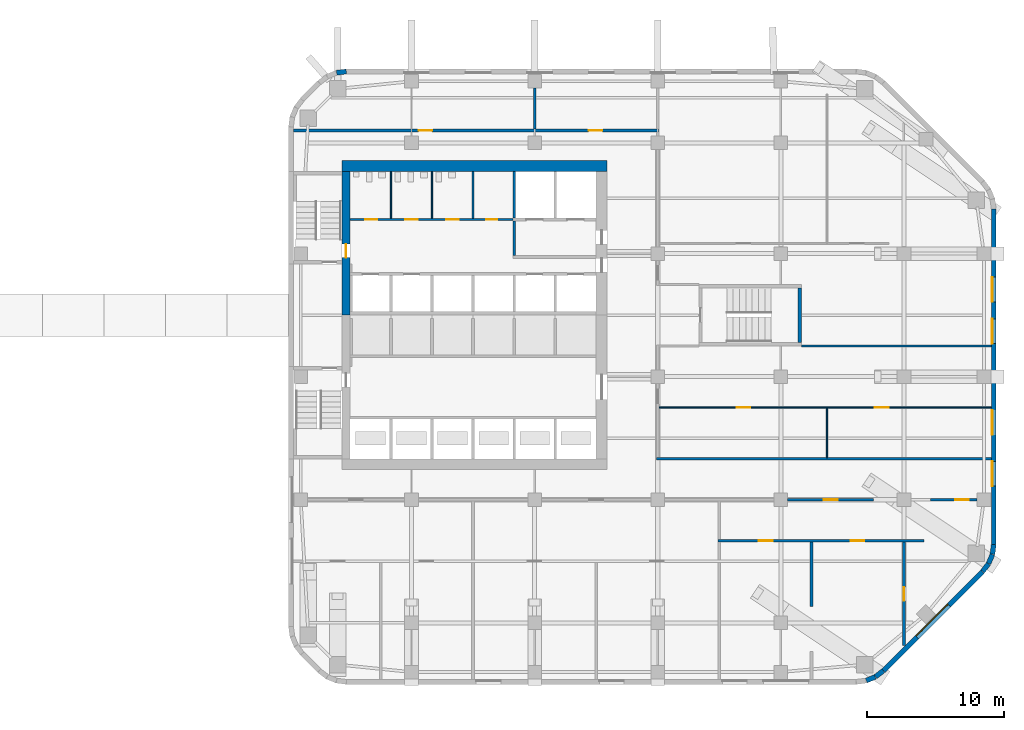
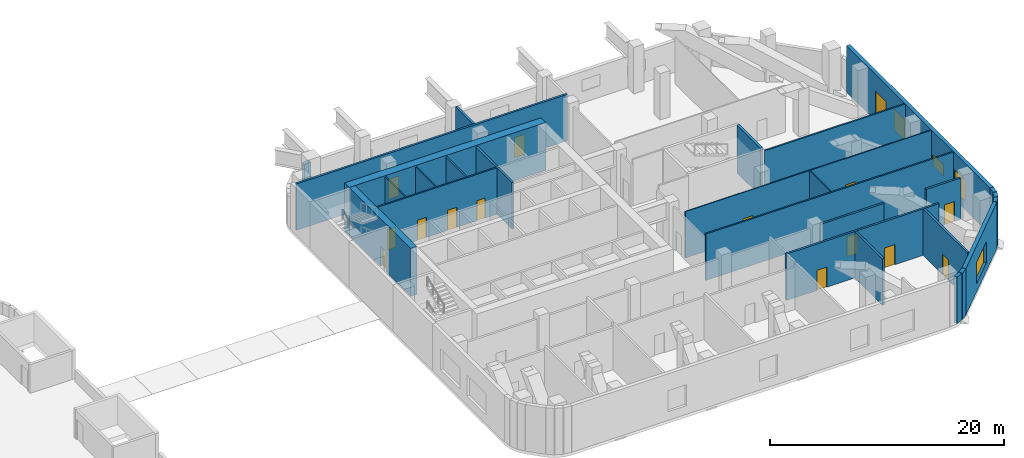
# One storey, part 6 of 11: 28 walls, 14 doors, 5 windows, 19 openings.
"""IFC4 building model written with IfcOpenShell, lengths in metres."""

from ifc_helpers import new_model, si_unit, direction, frame, frame_2d, origin, place, context, subcontext, project, spatial, rectangle, extrude, material, layer, layer_set, type_object, element, fill, save


model = new_model("IFC4")

# Units and contexts
model_context = context("Model", 3, precision=1e-05, world=origin(), true_north=direction((0.0, 1.0)))
body_context = subcontext(model_context, "Body", "Model", "MODEL_VIEW")
ifc_project = project(units=[si_unit("LENGTHUNIT", "METRE"), si_unit("AREAUNIT", "SQUARE_METRE"), si_unit("VOLUMEUNIT", "CUBIC_METRE"), si_unit("PLANEANGLEUNIT", "RADIAN"), si_unit("MASSUNIT", "GRAM", prefix="KILO")], contexts=[model_context])

# Site, building, storey
site_placement = place(None, origin())
site = spatial("IfcSite", under=ifc_project, at=site_placement, CompositionType="ELEMENT")
building_placement = place(site_placement, origin())
building = spatial("IfcBuilding", under=site, at=building_placement, Name="Cinnabar Reach Civic Tower", CompositionType="ELEMENT")
storey_placement = place(building_placement, frame((0.0, 0.0, 144.0)))
storey = spatial("IfcBuildingStorey", under=building, at=storey_placement, Name="L34", CompositionType="ELEMENT", Elevation=144.0)

# Walls
ifc_material_1 = material(Name="Facing brick with insulated backing", Category="masonry")
ifc_layer_1 = layer(ifc_material_1, 0.36)
ifc_layer_set_1 = layer_set([ifc_layer_1], Name="Brick corner wall")
wall_type_1 = type_object("IfcWallType", Name="Brick corner wall", PredefinedType="STANDARD", material=ifc_layer_set_1)
wall_1_placement = place(storey_placement, frame((42.2473, 4.7819, 0.0), z_axis=(0.0, 0.0, 1.0), x_axis=(0.923871547278, 0.382702709855, 0.0)))
element("IfcWall", 1, at=wall_1_placement, inside=storey, type_object=wall_type_1, Name="Brick corner wall", PredefinedType="STANDARD", context=body_context, shape_type="SweptSolid", body=[
    extrude(rectangle(XDim=0.7131, YDim=0.36, at=frame_2d((0.3565, 0.0))), origin(), (0.0, 0.0, 1.0), 4.85),
])
for number, where, z_axis, x_axis, name in (
    (2, (42.9255, 5.066, 0.0), (0.0, 0.0, 1.0), (0.793321924995, 0.608802368033, 0.0), "Brick corner wall"),
    (3, (50.7498, 12.7587, 0.0), (0.0, 0.0, 1.0), (0.608802368033, 0.793321924995, 0.0), "Brick corner wall"),
):
    element("IfcWall", number, at=place(storey_placement, frame(where, z_axis=z_axis, x_axis=x_axis)), inside=storey, type_object=wall_type_1, Name=name, PredefinedType="STANDARD", context=body_context, shape_type="SweptSolid", body=[
        extrude(rectangle(XDim=0.7132, YDim=0.36, at=frame_2d((0.3566, 0.0))), origin(), (0.0, 0.0, 1.0), 4.85),
    ])
for number, where, z_axis, x_axis, name in (
    (4, (51.1952, 13.3439, 0.0), (0.0, 0.0, 1.0), (0.382702709855, 0.923871547278, 0.0), "Brick corner wall"),
    (5, (51.4739, 14.0244, 0.0), (0.0, 0.0, 1.0), (0.13055608231, 0.99144092581, 0.0), "Brick corner wall"),
):
    element("IfcWall", number, at=place(storey_placement, frame(where, z_axis=z_axis, x_axis=x_axis)), inside=storey, type_object=wall_type_1, Name=name, PredefinedType="STANDARD", context=body_context, shape_type="SweptSolid", body=[
        extrude(rectangle(XDim=0.7131, YDim=0.36, at=frame_2d((0.3565, 0.0))), origin(), (0.0, 0.0, 1.0), 4.85),
    ])
wall_2_placement = place(storey_placement, frame((4.2314, 49.317, 0.0), z_axis=(0.0, 0.0, 1.0), x_axis=(-0.99144092581, -0.13055608231, 0.0)))
element("IfcWall", 6, at=wall_2_placement, inside=storey, type_object=wall_type_1, Name="Brick corner wall", PredefinedType="STANDARD", context=body_context, shape_type="SweptSolid", body=[
    extrude(rectangle(XDim=0.7131, YDim=0.36, at=frame_2d((0.3565, 0.0))), origin(), (0.0, 0.0, 1.0), 3.25),
])

# Wall, opening, window
ifc_layer_2 = layer(ifc_material_1, 0.36)
ifc_layer_set_2 = layer_set([ifc_layer_2], Name="Brick pier and spandrel wall")
wall_type_2 = type_object("IfcWallType", Name="Brick pier and spandrel wall", PredefinedType="STANDARD", material=ifc_layer_set_2)
wall_3_placement = place(storey_placement, frame((43.5014, 5.506, 0.0), z_axis=(0.0, 0.0, 1.0), x_axis=(0.707106781187, 0.707106781187, 0.0)))
wall_3 = element("IfcWall", 7, at=wall_3_placement, inside=storey, type_object=wall_type_2, Name="Brick facade wall", PredefinedType="STANDARD", context=body_context, shape_type="SweptSolid", body=[
    extrude(rectangle(XDim=10.2426, YDim=0.36, at=frame_2d((5.1213, 0.0))), origin(), (0.0, 0.0, 1.0), 4.85),
])
opening_1_placement = place(wall_3_placement, frame((3.4713, 0.0, 0.9)))
opening_1 = element("IfcOpeningElement", 8, at=opening_1_placement, cuts=wall_3, Name="Opening W1725", PredefinedType="OPENING", context=body_context, shape_type="SweptSolid", body=[
    extrude(rectangle(XDim=3.3, YDim=2.2, at=frame_2d((1.65, 1.1))), frame((0.0, 0.19, 0.0), z_axis=(0.0, -1.0, 0.0), x_axis=(1.0, 0.0, 0.0)), (0.0, 0.0, 1.0), 0.38),
])
ifc_material_2 = material(Name="Clear double glazing in aluminium frame", Category="aluminium")
window_type_1 = type_object("IfcWindowType", Name="Deep-set window B", PartitioningType="SINGLE_PANEL", PredefinedType="WINDOW", material=ifc_material_2)
window_1_placement = place(opening_1_placement, origin())
window_1 = element("IfcWindow", 9, at=window_1_placement, inside=storey, type_object=window_type_1, Name="Window southeast face", OverallHeight=2.2, OverallWidth=3.3, PartitioningType="SINGLE_PANEL", PredefinedType="WINDOW", context=body_context, shape_type="SweptSolid", body=[
    extrude(rectangle(XDim=3.3, YDim=2.2, at=frame_2d((1.65, 1.1))), frame((0.0, 0.13, 0.0), z_axis=(0.0, -1.0, 0.0), x_axis=(1.0, 0.0, 0.0)), (0.0, 0.0, 1.0), 0.06),
])
fill(opening_1, window_1)

# Wall, openings, windows
wall_4_placement = place(storey_placement, frame((51.57, 14.7426, 0.0), z_axis=(0.0, 0.0, 1.0), x_axis=(0.0, 1.0, 0.0)))
wall_4 = element("IfcWall", 10, at=wall_4_placement, inside=storey, type_object=wall_type_2, Name="Brick facade wall", PredefinedType="STANDARD", context=body_context, shape_type="SweptSolid", body=[
    extrude(rectangle(XDim=24.5148, YDim=0.36, at=frame_2d((12.2574, 0.0))), origin(), (0.0, 0.0, 1.0), 4.85),
])
opening_2_placement = place(wall_4_placement, frame((4.2574, 0.0, 0.9)))
opening_2 = element("IfcOpeningElement", 11, at=opening_2_placement, cuts=wall_4, Name="Opening W1726", PredefinedType="OPENING", context=body_context, shape_type="SweptSolid", body=[
    extrude(rectangle(XDim=1.8, YDim=2.2, at=frame_2d((0.9, 1.1))), frame((0.0, 0.19, 0.0), z_axis=(0.0, -1.0, 0.0), x_axis=(1.0, 0.0, 0.0)), (0.0, 0.0, 1.0), 0.38),
])
opening_3_placement = place(wall_4_placement, frame((8.0074, 0.0, 1.2)))
opening_3 = element("IfcOpeningElement", 12, at=opening_3_placement, cuts=wall_4, Name="Opening W1727", PredefinedType="OPENING", context=body_context, shape_type="SweptSolid", body=[
    extrude(rectangle(XDim=1.8, YDim=1.2, at=frame_2d((0.9, 0.6))), frame((0.0, 0.19, 0.0), z_axis=(0.0, -1.0, 0.0), x_axis=(1.0, 0.0, 0.0)), (0.0, 0.0, 1.0), 0.38),
])
opening_4_placement = place(wall_4_placement, frame((14.6824, 0.0, 0.9)))
opening_4 = element("IfcOpeningElement", 13, at=opening_4_placement, cuts=wall_4, Name="Opening W1728", PredefinedType="OPENING", context=body_context, shape_type="SweptSolid", body=[
    extrude(rectangle(XDim=1.8, YDim=2.2, at=frame_2d((0.9, 1.1))), frame((0.0, 0.19, 0.0), z_axis=(0.0, -1.0, 0.0), x_axis=(1.0, 0.0, 0.0)), (0.0, 0.0, 1.0), 0.38),
])
opening_5_placement = place(wall_4_placement, frame((17.7324, 0.0, 0.9)))
opening_5 = element("IfcOpeningElement", 14, at=opening_5_placement, cuts=wall_4, Name="Opening W1729", PredefinedType="OPENING", context=body_context, shape_type="SweptSolid", body=[
    extrude(rectangle(XDim=1.8, YDim=2.2, at=frame_2d((0.9, 1.1))), frame((0.0, 0.19, 0.0), z_axis=(0.0, -1.0, 0.0), x_axis=(1.0, 0.0, 0.0)), (0.0, 0.0, 1.0), 0.38),
])
window_type_2 = type_object("IfcWindowType", Name="Deep-set window C", PartitioningType="SINGLE_PANEL", PredefinedType="WINDOW", material=ifc_material_2)
window_2_placement = place(opening_3_placement, origin())
window_2 = element("IfcWindow", 15, at=window_2_placement, inside=storey, type_object=window_type_2, Name="Window east face", OverallHeight=1.2, OverallWidth=1.8, PartitioningType="SINGLE_PANEL", PredefinedType="WINDOW", context=body_context, shape_type="SweptSolid", body=[
    extrude(rectangle(XDim=1.8, YDim=1.2, at=frame_2d((0.9, 0.6))), frame((0.0, 0.13, 0.0), z_axis=(0.0, -1.0, 0.0), x_axis=(1.0, 0.0, 0.0)), (0.0, 0.0, 1.0), 0.06),
])
fill(opening_3, window_2)
window_type_3 = type_object("IfcWindowType", Name="Deep-set window E", PartitioningType="SINGLE_PANEL", PredefinedType="WINDOW", material=ifc_material_2)
window_3_placement = place(opening_2_placement, origin())
window_3 = element("IfcWindow", 16, at=window_3_placement, inside=storey, type_object=window_type_3, Name="Window east face", OverallHeight=2.2, OverallWidth=1.8, PartitioningType="SINGLE_PANEL", PredefinedType="WINDOW", context=body_context, shape_type="SweptSolid", body=[
    extrude(rectangle(XDim=1.8, YDim=2.2, at=frame_2d((0.9, 1.1))), frame((0.0, 0.13, 0.0), z_axis=(0.0, -1.0, 0.0), x_axis=(1.0, 0.0, 0.0)), (0.0, 0.0, 1.0), 0.06),
])
fill(opening_2, window_3)
window_4_placement = place(opening_4_placement, origin())
window_4 = element("IfcWindow", 17, at=window_4_placement, inside=storey, type_object=window_type_3, Name="Window east face", OverallHeight=2.2, OverallWidth=1.8, PartitioningType="SINGLE_PANEL", PredefinedType="WINDOW", context=body_context, shape_type="SweptSolid", body=[
    extrude(rectangle(XDim=1.8, YDim=2.2, at=frame_2d((0.9, 1.1))), frame((0.0, 0.13, 0.0), z_axis=(0.0, -1.0, 0.0), x_axis=(1.0, 0.0, 0.0)), (0.0, 0.0, 1.0), 0.06),
])
fill(opening_4, window_4)
window_5_placement = place(opening_5_placement, origin())
window_5 = element("IfcWindow", 18, at=window_5_placement, inside=storey, type_object=window_type_3, Name="Window east face", OverallHeight=2.2, OverallWidth=1.8, PartitioningType="SINGLE_PANEL", PredefinedType="WINDOW", context=body_context, shape_type="SweptSolid", body=[
    extrude(rectangle(XDim=1.8, YDim=2.2, at=frame_2d((0.9, 1.1))), frame((0.0, 0.13, 0.0), z_axis=(0.0, -1.0, 0.0), x_axis=(1.0, 0.0, 0.0)), (0.0, 0.0, 1.0), 0.06),
])
fill(opening_5, window_5)

# Wall, opening, door
ifc_material_3 = material(Name="Concrete C70", Category="concrete")
ifc_layer_3 = layer(ifc_material_3, 0.6)
ifc_layer_set_3 = layer_set([ifc_layer_3], Name="Core wall 600 EI 180")
wall_type_3 = type_object("IfcWallType", Name="Core wall 600 EI 180", PredefinedType="SOLIDWALL", material=ifc_layer_set_3)
wall_5_placement = place(storey_placement, frame((4.2, 42.0, 0.0), z_axis=(0.0, 0.0, 1.0), x_axis=(0.0, -1.0, 0.0)))
wall_5 = element("IfcWall", 19, at=wall_5_placement, inside=storey, type_object=wall_type_3, Name="Core wall T1 L34 W", PredefinedType="SOLIDWALL", context=body_context, shape_type="SweptSolid", body=[
    extrude(rectangle(XDim=10.5, YDim=0.6, at=frame_2d((5.25, 0.0))), origin(), (0.0, 0.0, 1.0), 5.0),
])
opening_6_placement = place(wall_5_placement, frame((5.3, 0.0, 0.0)))
opening_6 = element("IfcOpeningElement", 20, at=opening_6_placement, cuts=wall_5, Name="Opening D4376", PredefinedType="OPENING", context=body_context, shape_type="SweptSolid", body=[
    extrude(rectangle(XDim=1.0, YDim=2.1, at=frame_2d((0.5, 1.05))), frame((0.0, 0.31, 0.0), z_axis=(0.0, -1.0, 0.0), x_axis=(1.0, 0.0, 0.0)), (0.0, 0.0, 1.0), 0.62),
])
ifc_material_4 = material(Name="Timber door leaf in steel frame", Category="steel")
door_type_1 = type_object("IfcDoorType", Name="Stair door 1000 x 2100 T1", OperationType="SINGLE_SWING_LEFT", PredefinedType="DOOR", material=ifc_material_4)
door_1_placement = place(opening_6_placement, frame((1.0, 0.0, 0.0), z_axis=(0.0, 0.0, 1.0), x_axis=(-1.0, 0.0, 0.0)))
door_1 = element("IfcDoor", 21, at=door_1_placement, inside=storey, type_object=door_type_1, Name="Door D4376", OperationType="SINGLE_SWING_LEFT", OverallHeight=2.1, OverallWidth=1.0, PredefinedType="DOOR", context=body_context, shape_type="SweptSolid", body=[
    extrude(rectangle(XDim=1.0, YDim=2.1, at=frame_2d((0.5, 1.05))), frame((0.0, 0.025, 0.0), z_axis=(0.0, -1.0, 0.0), x_axis=(1.0, 0.0, 0.0)), (0.0, 0.0, 1.0), 0.05),
])
fill(opening_6, door_1)

# Walls
ifc_layer_4 = layer(ifc_material_3, 0.8)
ifc_layer_set_4 = layer_set([ifc_layer_4], Name="Core wall 800 EI 180")
wall_type_4 = type_object("IfcWallType", Name="Core wall 800 EI 180", PredefinedType="SOLIDWALL", material=ifc_layer_set_4)
wall_6_placement = place(storey_placement, frame((23.3, 42.4, 0.0), z_axis=(0.0, 0.0, 1.0), x_axis=(-1.0, 0.0, 0.0)))
element("IfcWall", 22, at=wall_6_placement, inside=storey, type_object=wall_type_4, Name="Core wall T1 L34 N", PredefinedType="SOLIDWALL", context=body_context, shape_type="SweptSolid", body=[
    extrude(rectangle(XDim=19.4, YDim=0.8, at=frame_2d((9.7, 0.0))), origin(), (0.0, 0.0, 1.0), 5.0),
])
ifc_material_5 = material(Name="Gypsum board on steel studs, double layer", Category="steel")
ifc_layer_5 = layer(ifc_material_5, 0.15)
ifc_layer_set_5 = layer_set([ifc_layer_5], Name="Corridor wall 150 T1")
wall_type_5 = type_object("IfcWallType", Name="Corridor wall 150 T1", PredefinedType="PARTITIONING", material=ifc_layer_set_5)
wall_7_placement = place(storey_placement, frame((26.925, 21.0, 0.0), z_axis=(0.0, 0.0, 1.0), x_axis=(1.0, 0.0, 0.0)))
element("IfcWall", 23, at=wall_7_placement, inside=storey, type_object=wall_type_5, Name="Corridor wall 47", PredefinedType="PARTITIONING", context=body_context, shape_type="SweptSolid", body=[
    extrude(rectangle(XDim=24.465, YDim=0.15, at=frame_2d((12.2325, 0.0))), origin(), (0.0, 0.0, 1.0), 4.85),
])

# Wall, openings, doors
wall_8_placement = place(storey_placement, frame((4.5, 38.5, 0.0), z_axis=(0.0, 0.0, 1.0), x_axis=(1.0, 0.0, 0.0)))
wall_8 = element("IfcWall", 24, at=wall_8_placement, inside=storey, type_object=wall_type_5, Name="Corridor wall 48", PredefinedType="PARTITIONING", context=body_context, shape_type="SweptSolid", body=[
    extrude(rectangle(XDim=11.9, YDim=0.15, at=frame_2d((5.95, 0.0))), origin(), (0.0, 0.0, 1.0), 4.85),
])
opening_7_placement = place(wall_8_placement, frame((1.1, 0.0, 0.0)))
opening_7 = element("IfcOpeningElement", 25, at=opening_7_placement, cuts=wall_8, Name="Opening D4388", PredefinedType="OPENING", context=body_context, shape_type="SweptSolid", body=[
    extrude(rectangle(XDim=0.9, YDim=2.1, at=frame_2d((0.45, 1.05))), frame((0.0, 0.085, 0.0), z_axis=(0.0, -1.0, 0.0), x_axis=(1.0, 0.0, 0.0)), (0.0, 0.0, 1.0), 0.17),
])
opening_8_placement = place(wall_8_placement, frame((4.05, 0.0, 0.0)))
opening_8 = element("IfcOpeningElement", 26, at=opening_8_placement, cuts=wall_8, Name="Opening D4389", PredefinedType="OPENING", context=body_context, shape_type="SweptSolid", body=[
    extrude(rectangle(XDim=0.9, YDim=2.1, at=frame_2d((0.45, 1.05))), frame((0.0, 0.085, 0.0), z_axis=(0.0, -1.0, 0.0), x_axis=(1.0, 0.0, 0.0)), (0.0, 0.0, 1.0), 0.17),
])
opening_9_placement = place(wall_8_placement, frame((7.05, 0.0, 0.0)))
opening_9 = element("IfcOpeningElement", 27, at=opening_9_placement, cuts=wall_8, Name="Opening D4390", PredefinedType="OPENING", context=body_context, shape_type="SweptSolid", body=[
    extrude(rectangle(XDim=0.9, YDim=2.1, at=frame_2d((0.45, 1.05))), frame((0.0, 0.085, 0.0), z_axis=(0.0, -1.0, 0.0), x_axis=(1.0, 0.0, 0.0)), (0.0, 0.0, 1.0), 0.17),
])
opening_10_placement = place(wall_8_placement, frame((9.95, 0.0, 0.0)))
opening_10 = element("IfcOpeningElement", 28, at=opening_10_placement, cuts=wall_8, Name="Opening D4391", PredefinedType="OPENING", context=body_context, shape_type="SweptSolid", body=[
    extrude(rectangle(XDim=0.8, YDim=2.1, at=frame_2d((0.4, 1.05))), frame((0.0, 0.085, 0.0), z_axis=(0.0, -1.0, 0.0), x_axis=(1.0, 0.0, 0.0)), (0.0, 0.0, 1.0), 0.17),
])
door_type_2 = type_object("IfcDoorType", Name="Riser access door 800 x 2100 T1", OperationType="SINGLE_SWING_LEFT", PredefinedType="DOOR", material=ifc_material_4)
door_2_placement = place(opening_10_placement, origin())
door_2 = element("IfcDoor", 29, at=door_2_placement, inside=storey, type_object=door_type_2, Name="Door D4391", OperationType="SINGLE_SWING_RIGHT", OverallHeight=2.1, OverallWidth=0.8, PredefinedType="DOOR", context=body_context, shape_type="SweptSolid", body=[
    extrude(rectangle(XDim=0.8, YDim=2.1, at=frame_2d((0.4, 1.05))), frame((0.0, 0.025, 0.0), z_axis=(0.0, -1.0, 0.0), x_axis=(1.0, 0.0, 0.0)), (0.0, 0.0, 1.0), 0.05),
])
fill(opening_10, door_2)
door_type_3 = type_object("IfcDoorType", Name="Single swing door 900 x 2100 corridor T1", OperationType="SINGLE_SWING_LEFT", PredefinedType="DOOR", material=ifc_material_4)
door_3_placement = place(opening_7_placement, origin())
door_3 = element("IfcDoor", 30, at=door_3_placement, inside=storey, type_object=door_type_3, Name="Door D4388", OperationType="SINGLE_SWING_RIGHT", OverallHeight=2.1, OverallWidth=0.9, PredefinedType="DOOR", context=body_context, shape_type="SweptSolid", body=[
    extrude(rectangle(XDim=0.9, YDim=2.1, at=frame_2d((0.45, 1.05))), frame((0.0, 0.025, 0.0), z_axis=(0.0, -1.0, 0.0), x_axis=(1.0, 0.0, 0.0)), (0.0, 0.0, 1.0), 0.05),
])
fill(opening_7, door_3)
door_4_placement = place(opening_8_placement, origin())
door_4 = element("IfcDoor", 31, at=door_4_placement, inside=storey, type_object=door_type_3, Name="Door D4389", OperationType="SINGLE_SWING_LEFT", OverallHeight=2.1, OverallWidth=0.9, PredefinedType="DOOR", context=body_context, shape_type="SweptSolid", body=[
    extrude(rectangle(XDim=0.9, YDim=2.1, at=frame_2d((0.45, 1.05))), frame((0.0, 0.025, 0.0), z_axis=(0.0, -1.0, 0.0), x_axis=(1.0, 0.0, 0.0)), (0.0, 0.0, 1.0), 0.05),
])
fill(opening_8, door_4)
door_5_placement = place(opening_9_placement, origin())
door_5 = element("IfcDoor", 32, at=door_5_placement, inside=storey, type_object=door_type_3, Name="Door D4390", OperationType="SINGLE_SWING_RIGHT", OverallHeight=2.1, OverallWidth=0.9, PredefinedType="DOOR", context=body_context, shape_type="SweptSolid", body=[
    extrude(rectangle(XDim=0.9, YDim=2.1, at=frame_2d((0.45, 1.05))), frame((0.0, 0.025, 0.0), z_axis=(0.0, -1.0, 0.0), x_axis=(1.0, 0.0, 0.0)), (0.0, 0.0, 1.0), 0.05),
])
fill(opening_9, door_5)

# Wall
ifc_material_6 = material(Name="Blockwork", Category="masonry")
ifc_layer_6 = layer(ifc_material_6, 0.2)
ifc_layer_set_6 = layer_set([ifc_layer_6], Name="Lift shaft wall 200 T1")
wall_type_6 = type_object("IfcWallType", Name="Lift shaft wall 200 T1", PredefinedType="PARTITIONING", material=ifc_layer_set_6)
wall_9_placement = place(storey_placement, frame((16.5, 38.6, 0.0), z_axis=(0.0, 0.0, 1.0), x_axis=(0.0, 1.0, 0.0)))
element("IfcWall", 33, at=wall_9_placement, inside=storey, type_object=wall_type_6, Name="Lift shaft wall 40", PredefinedType="PARTITIONING", context=body_context, shape_type="SweptSolid", body=[
    extrude(rectangle(XDim=3.4, YDim=0.2, at=frame_2d((1.7, 0.0))), origin(), (0.0, 0.0, 1.0), 4.85),
])

# Wall, openings, doors
ifc_material_7 = material(Name="Gypsum board on steel studs", Category="steel")
ifc_layer_7 = layer(ifc_material_7, 0.1)
ifc_layer_set_7 = layer_set([ifc_layer_7], Name="Partition wall 100 T1")
wall_type_7 = type_object("IfcWallType", Name="Partition wall 100 T1", PredefinedType="PARTITIONING", material=ifc_layer_set_7)
wall_10_placement = place(storey_placement, frame((27.075, 24.75, 0.0), z_axis=(0.0, 0.0, 1.0), x_axis=(1.0, 0.0, 0.0)))
wall_10 = element("IfcWall", 34, at=wall_10_placement, inside=storey, type_object=wall_type_7, Name="Partition wall 60", PredefinedType="PARTITIONING", context=body_context, shape_type="SweptSolid", body=[
    extrude(rectangle(XDim=24.315, YDim=0.1, at=frame_2d((12.1575, 0.0))), origin(), (0.0, 0.0, 1.0), 4.85),
])
opening_11_placement = place(wall_10_placement, frame((5.7, 0.0, 0.0)))
opening_11 = element("IfcOpeningElement", 35, at=opening_11_placement, cuts=wall_10, Name="Opening D4396", PredefinedType="OPENING", context=body_context, shape_type="SweptSolid", body=[
    extrude(rectangle(XDim=1.0, YDim=2.1, at=frame_2d((0.5, 1.05))), frame((0.0, 0.06, 0.0), z_axis=(0.0, -1.0, 0.0), x_axis=(1.0, 0.0, 0.0)), (0.0, 0.0, 1.0), 0.12),
])
opening_12_placement = place(wall_10_placement, frame((15.8, 0.0, 0.0)))
opening_12 = element("IfcOpeningElement", 36, at=opening_12_placement, cuts=wall_10, Name="Opening D4397", PredefinedType="OPENING", context=body_context, shape_type="SweptSolid", body=[
    extrude(rectangle(XDim=1.0, YDim=2.1, at=frame_2d((0.5, 1.05))), frame((0.0, 0.06, 0.0), z_axis=(0.0, -1.0, 0.0), x_axis=(1.0, 0.0, 0.0)), (0.0, 0.0, 1.0), 0.12),
])
door_type_4 = type_object("IfcDoorType", Name="Plant room door 1000 x 2100 T1", OperationType="SINGLE_SWING_LEFT", PredefinedType="DOOR", material=ifc_material_4)
door_6_placement = place(opening_11_placement, origin())
door_6 = element("IfcDoor", 37, at=door_6_placement, inside=storey, type_object=door_type_4, Name="Door D4396", OperationType="SINGLE_SWING_RIGHT", OverallHeight=2.1, OverallWidth=1.0, PredefinedType="DOOR", context=body_context, shape_type="SweptSolid", body=[
    extrude(rectangle(XDim=1.0, YDim=2.1, at=frame_2d((0.5, 1.05))), frame((0.0, 0.025, 0.0), z_axis=(0.0, -1.0, 0.0), x_axis=(1.0, 0.0, 0.0)), (0.0, 0.0, 1.0), 0.05),
])
fill(opening_11, door_6)
door_7_placement = place(opening_12_placement, origin())
door_7 = element("IfcDoor", 38, at=door_7_placement, inside=storey, type_object=door_type_4, Name="Door D4397", OperationType="SINGLE_SWING_LEFT", OverallHeight=2.1, OverallWidth=1.0, PredefinedType="DOOR", context=body_context, shape_type="SweptSolid", body=[
    extrude(rectangle(XDim=1.0, YDim=2.1, at=frame_2d((0.5, 1.05))), frame((0.0, 0.025, 0.0), z_axis=(0.0, -1.0, 0.0), x_axis=(1.0, 0.0, 0.0)), (0.0, 0.0, 1.0), 0.05),
])
fill(opening_12, door_7)

# Walls
wall_11_placement = place(storey_placement, frame((39.375, 21.075, 0.0), z_axis=(0.0, 0.0, 1.0), x_axis=(0.0, 1.0, 0.0)))
element("IfcWall", 39, at=wall_11_placement, inside=storey, type_object=wall_type_7, Name="Partition wall 63", PredefinedType="PARTITIONING", context=body_context, shape_type="SweptSolid", body=[
    extrude(rectangle(XDim=3.625, YDim=0.1, at=frame_2d((1.8125, 0.0))), origin(), (0.0, 0.0, 1.0), 4.85),
])
for number, where, z_axis, x_axis, name in (
    (40, (7.5, 38.575, 0.0), (0.0, 0.0, 1.0), (0.0, 1.0, 0.0), "Partition wall 64"),
    (41, (10.5, 38.575, 0.0), (0.0, 0.0, 1.0), (0.0, 1.0, 0.0), "Partition wall 65"),
):
    element("IfcWall", number, at=place(storey_placement, frame(where, z_axis=z_axis, x_axis=x_axis)), inside=storey, type_object=wall_type_7, Name=name, PredefinedType="PARTITIONING", context=body_context, shape_type="SweptSolid", body=[
        extrude(rectangle(XDim=3.425, YDim=0.1, at=frame_2d((1.7125, 0.0))), origin(), (0.0, 0.0, 1.0), 4.85),
    ])

# Wall, opening, door
ifc_material_8 = material(Name="Concrete C40", Category="concrete")
ifc_layer_8 = layer(ifc_material_8, 0.2)
ifc_layer_set_8 = layer_set([ifc_layer_8], Name="Refuge compartment wall 200 T1")
wall_type_8 = type_object("IfcWallType", Name="Refuge compartment wall 200 T1", PredefinedType="PARTITIONING", material=ifc_layer_set_8)
wall_12_placement = place(storey_placement, frame((46.9432, 18.0, 0.0), z_axis=(0.0, 0.0, 1.0), x_axis=(1.0, 0.0, 0.0)))
wall_12 = element("IfcWall", 42, at=wall_12_placement, inside=storey, type_object=wall_type_8, Name="Refuge compartment wall 1", PredefinedType="PARTITIONING", context=body_context, shape_type="SweptSolid", body=[
    extrude(rectangle(XDim=3.4068, YDim=0.2, at=frame_2d((1.7034, 0.0))), origin(), (0.0, 0.0, 1.0), 4.35),
])
opening_13_placement = place(wall_12_placement, frame((1.8, 0.0, 0.0)))
opening_13 = element("IfcOpeningElement", 43, at=opening_13_placement, cuts=wall_12, Name="Opening D4407", PredefinedType="OPENING", context=body_context, shape_type="SweptSolid", body=[
    extrude(rectangle(XDim=1.0, YDim=2.1, at=frame_2d((0.5, 1.05))), frame((0.0, 0.11, 0.0), z_axis=(0.0, -1.0, 0.0), x_axis=(1.0, 0.0, 0.0)), (0.0, 0.0, 1.0), 0.22),
])
door_type_5 = type_object("IfcDoorType", Name="Refuge door 1000 x 2100 T1", OperationType="SINGLE_SWING_LEFT", PredefinedType="DOOR", material=ifc_material_4)
door_8_placement = place(opening_13_placement, frame((1.0, 0.0, 0.0), z_axis=(0.0, 0.0, 1.0), x_axis=(-1.0, 0.0, 0.0)))
door_8 = element("IfcDoor", 44, at=door_8_placement, inside=storey, type_object=door_type_5, Name="Door D4407", OperationType="SINGLE_SWING_RIGHT", OverallHeight=2.1, OverallWidth=1.0, PredefinedType="DOOR", context=body_context, shape_type="SweptSolid", body=[
    extrude(rectangle(XDim=1.0, YDim=2.1, at=frame_2d((0.5, 1.05))), frame((0.0, 0.025, 0.0), z_axis=(0.0, -1.0, 0.0), x_axis=(1.0, 0.0, 0.0)), (0.0, 0.0, 1.0), 0.05),
])
fill(opening_13, door_8)

wall_13_placement = place(storey_placement, frame((36.5, 18.0, 0.0), z_axis=(0.0, 0.0, 1.0), x_axis=(1.0, 0.0, 0.0)))
wall_13 = element("IfcWall", 45, at=wall_13_placement, inside=storey, type_object=wall_type_8, Name="Refuge compartment wall 2", PredefinedType="PARTITIONING", context=body_context, shape_type="SweptSolid", body=[
    extrude(rectangle(XDim=6.2775, YDim=0.2, at=frame_2d((3.1387, 0.0))), origin(), (0.0, 0.0, 1.0), 4.35),
])
opening_14_placement = place(wall_13_placement, frame((2.65, 0.0, 0.0)))
opening_14 = element("IfcOpeningElement", 46, at=opening_14_placement, cuts=wall_13, Name="Opening D4404", PredefinedType="OPENING", context=body_context, shape_type="SweptSolid", body=[
    extrude(rectangle(XDim=1.0, YDim=2.1, at=frame_2d((0.5, 1.05))), frame((0.0, 0.11, 0.0), z_axis=(0.0, -1.0, 0.0), x_axis=(1.0, 0.0, 0.0)), (0.0, 0.0, 1.0), 0.22),
])
door_9_placement = place(opening_14_placement, frame((1.0, 0.0, 0.0), z_axis=(0.0, 0.0, 1.0), x_axis=(-1.0, 0.0, 0.0)))
door_9 = element("IfcDoor", 47, at=door_9_placement, inside=storey, type_object=door_type_5, Name="Door D4404", OperationType="SINGLE_SWING_RIGHT", OverallHeight=2.1, OverallWidth=1.0, PredefinedType="DOOR", context=body_context, shape_type="SweptSolid", body=[
    extrude(rectangle(XDim=1.0, YDim=2.1, at=frame_2d((0.5, 1.05))), frame((0.0, 0.025, 0.0), z_axis=(0.0, -1.0, 0.0), x_axis=(1.0, 0.0, 0.0)), (0.0, 0.0, 1.0), 0.05),
])
fill(opening_14, door_9)

# Wall, openings, doors
wall_14_placement = place(storey_placement, frame((0.36, 45.0, 0.0), z_axis=(0.0, 0.0, 1.0), x_axis=(1.0, 0.0, 0.0)))
wall_14 = element("IfcWall", 48, at=wall_14_placement, inside=storey, type_object=wall_type_8, Name="Refuge compartment wall 8", PredefinedType="PARTITIONING", context=body_context, shape_type="SweptSolid", body=[
    extrude(rectangle(XDim=26.74, YDim=0.2, at=frame_2d((13.37, 0.0))), origin(), (0.0, 0.0, 1.0), 4.85),
])
opening_15_placement = place(wall_14_placement, frame((9.15, 0.0, 0.0)))
opening_15 = element("IfcOpeningElement", 49, at=opening_15_placement, cuts=wall_14, Name="Opening D4409", PredefinedType="OPENING", context=body_context, shape_type="SweptSolid", body=[
    extrude(rectangle(XDim=1.0, YDim=2.1, at=frame_2d((0.5, 1.05))), frame((0.0, 0.11, 0.0), z_axis=(0.0, -1.0, 0.0), x_axis=(1.0, 0.0, 0.0)), (0.0, 0.0, 1.0), 0.22),
])
opening_16_placement = place(wall_14_placement, frame((21.59, 0.0, 0.0)))
opening_16 = element("IfcOpeningElement", 50, at=opening_16_placement, cuts=wall_14, Name="Opening D4410", PredefinedType="OPENING", context=body_context, shape_type="SweptSolid", body=[
    extrude(rectangle(XDim=1.0, YDim=2.1, at=frame_2d((0.5, 1.05))), frame((0.0, 0.11, 0.0), z_axis=(0.0, -1.0, 0.0), x_axis=(1.0, 0.0, 0.0)), (0.0, 0.0, 1.0), 0.22),
])
door_10_placement = place(opening_15_placement, origin())
door_10 = element("IfcDoor", 51, at=door_10_placement, inside=storey, type_object=door_type_5, Name="Door D4409", OperationType="SINGLE_SWING_LEFT", OverallHeight=2.1, OverallWidth=1.0, PredefinedType="DOOR", context=body_context, shape_type="SweptSolid", body=[
    extrude(rectangle(XDim=1.0, YDim=2.1, at=frame_2d((0.5, 1.05))), frame((0.0, 0.025, 0.0), z_axis=(0.0, -1.0, 0.0), x_axis=(1.0, 0.0, 0.0)), (0.0, 0.0, 1.0), 0.05),
])
fill(opening_15, door_10)
door_11_placement = place(opening_16_placement, frame((1.0, 0.0, 0.0), z_axis=(0.0, 0.0, 1.0), x_axis=(-1.0, 0.0, 0.0)))
door_11 = element("IfcDoor", 52, at=door_11_placement, inside=storey, type_object=door_type_5, Name="Door D4410", OperationType="SINGLE_SWING_LEFT", OverallHeight=2.1, OverallWidth=1.0, PredefinedType="DOOR", context=body_context, shape_type="SweptSolid", body=[
    extrude(rectangle(XDim=1.0, YDim=2.1, at=frame_2d((0.5, 1.05))), frame((0.0, 0.025, 0.0), z_axis=(0.0, -1.0, 0.0), x_axis=(1.0, 0.0, 0.0)), (0.0, 0.0, 1.0), 0.05),
])
fill(opening_16, door_11)

wall_15_placement = place(storey_placement, frame((31.4, 15.0, 0.0), z_axis=(0.0, 0.0, 1.0), x_axis=(1.0, 0.0, 0.0)))
wall_15 = element("IfcWall", 53, at=wall_15_placement, inside=storey, type_object=wall_type_8, Name="Refuge compartment wall 9", PredefinedType="PARTITIONING", context=body_context, shape_type="SweptSolid", body=[
    extrude(rectangle(XDim=15.0563, YDim=0.2, at=frame_2d((7.5282, 0.0))), origin(), (0.0, 0.0, 1.0), 4.85),
])
opening_17_placement = place(wall_15_placement, frame((3.0, 0.0, 0.0)))
opening_17 = element("IfcOpeningElement", 54, at=opening_17_placement, cuts=wall_15, Name="Opening D4405", PredefinedType="OPENING", context=body_context, shape_type="SweptSolid", body=[
    extrude(rectangle(XDim=1.0, YDim=2.1, at=frame_2d((0.5, 1.05))), frame((0.0, 0.11, 0.0), z_axis=(0.0, -1.0, 0.0), x_axis=(1.0, 0.0, 0.0)), (0.0, 0.0, 1.0), 0.22),
])
opening_18_placement = place(wall_15_placement, frame((9.7, 0.0, 0.0)))
opening_18 = element("IfcOpeningElement", 55, at=opening_18_placement, cuts=wall_15, Name="Opening D4406", PredefinedType="OPENING", context=body_context, shape_type="SweptSolid", body=[
    extrude(rectangle(XDim=1.0, YDim=2.1, at=frame_2d((0.5, 1.05))), frame((0.0, 0.11, 0.0), z_axis=(0.0, -1.0, 0.0), x_axis=(1.0, 0.0, 0.0)), (0.0, 0.0, 1.0), 0.22),
])
door_12_placement = place(opening_17_placement, origin())
door_12 = element("IfcDoor", 56, at=door_12_placement, inside=storey, type_object=door_type_5, Name="Door D4405", OperationType="SINGLE_SWING_LEFT", OverallHeight=2.1, OverallWidth=1.0, PredefinedType="DOOR", context=body_context, shape_type="SweptSolid", body=[
    extrude(rectangle(XDim=1.0, YDim=2.1, at=frame_2d((0.5, 1.05))), frame((0.0, 0.025, 0.0), z_axis=(0.0, -1.0, 0.0), x_axis=(1.0, 0.0, 0.0)), (0.0, 0.0, 1.0), 0.05),
])
fill(opening_17, door_12)
door_13_placement = place(opening_18_placement, origin())
door_13 = element("IfcDoor", 57, at=door_13_placement, inside=storey, type_object=door_type_5, Name="Door D4406", OperationType="SINGLE_SWING_LEFT", OverallHeight=2.1, OverallWidth=1.0, PredefinedType="DOOR", context=body_context, shape_type="SweptSolid", body=[
    extrude(rectangle(XDim=1.0, YDim=2.1, at=frame_2d((0.5, 1.05))), frame((0.0, 0.025, 0.0), z_axis=(0.0, -1.0, 0.0), x_axis=(1.0, 0.0, 0.0)), (0.0, 0.0, 1.0), 0.05),
])
fill(opening_18, door_13)

# Wall, opening, door
wall_16_placement = place(storey_placement, frame((45.0, 7.359, 0.0), z_axis=(0.0, 0.0, 1.0), x_axis=(0.0, 1.0, 0.0)))
wall_16 = element("IfcWall", 58, at=wall_16_placement, inside=storey, type_object=wall_type_8, Name="Refuge compartment wall 15", PredefinedType="PARTITIONING", context=body_context, shape_type="SweptSolid", body=[
    extrude(rectangle(XDim=7.541, YDim=0.2, at=frame_2d((3.7705, 0.0))), origin(), (0.0, 0.0, 1.0), 4.85),
])
opening_19_placement = place(wall_16_placement, frame((3.25, 0.0, 0.0)))
opening_19 = element("IfcOpeningElement", 59, at=opening_19_placement, cuts=wall_16, Name="Opening D4408", PredefinedType="OPENING", context=body_context, shape_type="SweptSolid", body=[
    extrude(rectangle(XDim=1.0, YDim=2.1, at=frame_2d((0.5, 1.05))), frame((0.0, 0.11, 0.0), z_axis=(0.0, -1.0, 0.0), x_axis=(1.0, 0.0, 0.0)), (0.0, 0.0, 1.0), 0.22),
])
door_14_placement = place(opening_19_placement, origin())
door_14 = element("IfcDoor", 60, at=door_14_placement, inside=storey, type_object=door_type_5, Name="Door D4408", OperationType="SINGLE_SWING_LEFT", OverallHeight=2.1, OverallWidth=1.0, PredefinedType="DOOR", context=body_context, shape_type="SweptSolid", body=[
    extrude(rectangle(XDim=1.0, YDim=2.1, at=frame_2d((0.5, 1.05))), frame((0.0, 0.025, 0.0), z_axis=(0.0, -1.0, 0.0), x_axis=(1.0, 0.0, 0.0)), (0.0, 0.0, 1.0), 0.05),
])
fill(opening_19, door_14)

# Walls
wall_17_placement = place(storey_placement, frame((38.25, 10.1808, 0.0), z_axis=(0.0, 0.0, 1.0), x_axis=(0.0, 1.0, 0.0)))
element("IfcWall", 61, at=wall_17_placement, inside=storey, type_object=wall_type_8, Name="Refuge compartment wall 16", PredefinedType="PARTITIONING", context=body_context, shape_type="SweptSolid", body=[
    extrude(rectangle(XDim=4.7192, YDim=0.2, at=frame_2d((2.3596, 0.0))), origin(), (0.0, 0.0, 1.0), 4.85),
])
wall_18_placement = place(storey_placement, frame((18.0, 45.1, 0.0), z_axis=(0.0, 0.0, 1.0), x_axis=(0.0, 1.0, 0.0)))
element("IfcWall", 62, at=wall_18_placement, inside=storey, type_object=wall_type_8, Name="Refuge compartment wall 22", PredefinedType="PARTITIONING", context=body_context, shape_type="SweptSolid", body=[
    extrude(rectangle(XDim=3.0, YDim=0.2, at=frame_2d((1.5, 0.0))), origin(), (0.0, 0.0, 1.0), 4.85),
])
wall_19_placement = place(storey_placement, frame((16.5, 35.85, 0.0), z_axis=(0.0, 0.0, 1.0), x_axis=(0.0, 1.0, 0.0)))
element("IfcWall", 63, at=wall_19_placement, inside=storey, type_object=wall_type_8, Name="Refuge compartment wall 24", PredefinedType="PARTITIONING", context=body_context, shape_type="SweptSolid", body=[
    extrude(rectangle(XDim=2.55, YDim=0.2, at=frame_2d((1.275, 0.0))), origin(), (0.0, 0.0, 1.0), 4.85),
])
ifc_layer_9 = layer(ifc_material_6, 0.15)
ifc_layer_set_9 = layer_set([ifc_layer_9], Name="Riser wall 150 T1")
wall_type_9 = type_object("IfcWallType", Name="Riser wall 150 T1", PredefinedType="PARTITIONING", material=ifc_layer_set_9)
wall_20_placement = place(storey_placement, frame((13.5, 38.575, 0.0), z_axis=(0.0, 0.0, 1.0), x_axis=(0.0, 1.0, 0.0)))
element("IfcWall", 64, at=wall_20_placement, inside=storey, type_object=wall_type_9, Name="Riser wall 58", PredefinedType="PARTITIONING", context=body_context, shape_type="SweptSolid", body=[
    extrude(rectangle(XDim=3.425, YDim=0.15, at=frame_2d((1.7125, 0.0))), origin(), (0.0, 0.0, 1.0), 4.85),
])
ifc_material_9 = material(Name="Concrete C60", Category="concrete")
ifc_layer_10 = layer(ifc_material_9, 0.25)
ifc_layer_set_10 = layer_set([ifc_layer_10], Name="Stair shaft wall 250 EI 120")
wall_type_10 = type_object("IfcWallType", Name="Stair shaft wall 250 EI 120", PredefinedType="SOLIDWALL", material=ifc_layer_set_10)
wall_21_placement = place(storey_placement, frame((37.375, 29.5, 0.0), z_axis=(0.0, 0.0, 1.0), x_axis=(0.0, 1.0, 0.0)))
element("IfcWall", 65, at=wall_21_placement, inside=storey, type_object=wall_type_10, Name="Stair shaft wall T1-S3 L34", PredefinedType="SOLIDWALL", context=body_context, shape_type="SweptSolid", body=[
    extrude(rectangle(XDim=4.0, YDim=0.25, at=frame_2d((2.0, 0.0))), origin(), (0.0, 0.0, 1.0), 5.0),
])
ifc_layer_11 = layer(ifc_material_5, 0.15)
ifc_layer_set_11 = layer_set([ifc_layer_11], Name="Tenancy separating wall 150 T1")
wall_type_11 = type_object("IfcWallType", Name="Tenancy separating wall 150 T1", PredefinedType="PARTITIONING", material=ifc_layer_set_11)
wall_22_placement = place(storey_placement, frame((37.5, 29.25, 0.0), z_axis=(0.0, 0.0, 1.0), x_axis=(1.0, 0.0, 0.0)))
element("IfcWall", 66, at=wall_22_placement, inside=storey, type_object=wall_type_11, Name="Tenancy separating wall 59", PredefinedType="PARTITIONING", context=body_context, shape_type="SweptSolid", body=[
    extrude(rectangle(XDim=13.89, YDim=0.15, at=frame_2d((6.945, 0.0))), origin(), (0.0, 0.0, 1.0), 4.85),
])

save(model, "model.ifc")
